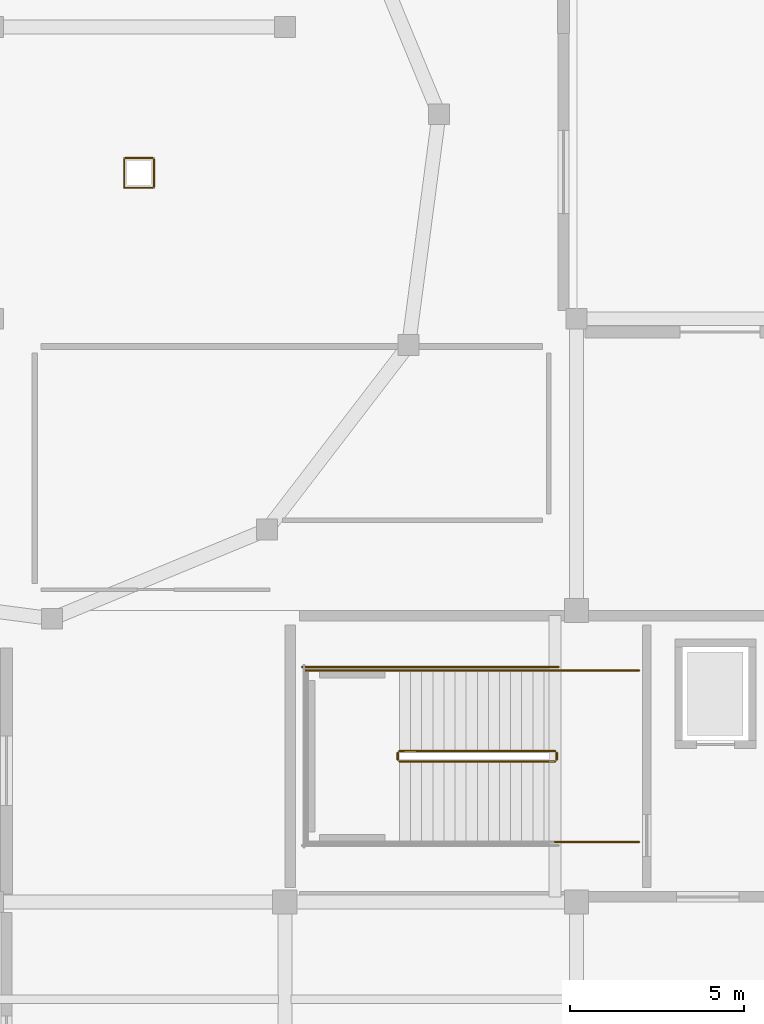
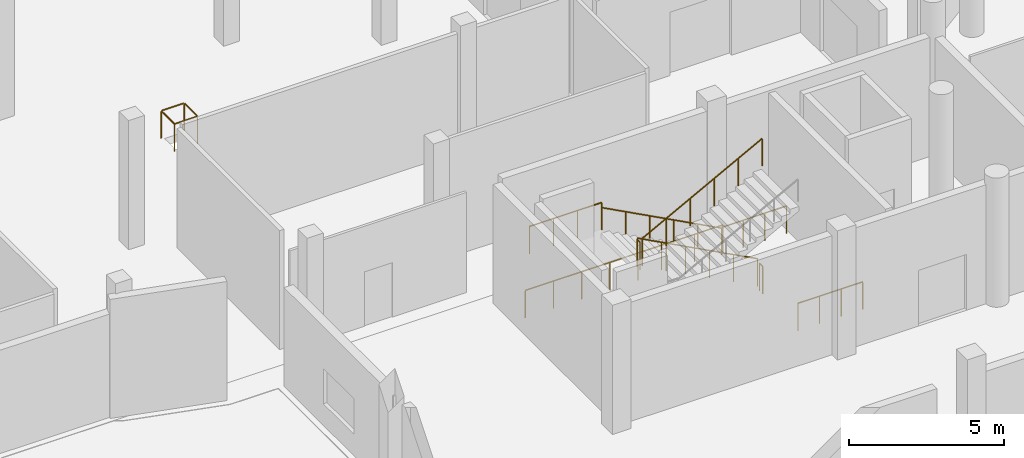
# One storey, part 60 of 64: 10 railings.
"""IFC4 building model written with IfcOpenShell, lengths in metres."""

from ifc_helpers import new_model, si_unit, derived_unit, direction, frame, origin, origin_2d, place, context, subcontext, project, spatial, circle, extrude, material, type_object, element, save


model = new_model("IFC4")

# Units and contexts
model_context = context("Model", 3, precision=1e-05, world=origin(), true_north=direction((0.0, 1.0)))
body_context = subcontext(model_context, "Body", "Model", "MODEL_VIEW")
ifc_project = project(units=[si_unit("LENGTHUNIT", "METRE"), si_unit("AREAUNIT", "SQUARE_METRE"), si_unit("VOLUMEUNIT", "CUBIC_METRE"), si_unit("PLANEANGLEUNIT", "RADIAN"), si_unit("MASSUNIT", "GRAM", prefix="KILO"), derived_unit("THERMALTRANSMITTANCEUNIT", [(si_unit("POWERUNIT", "WATT"), 1), (si_unit("LENGTHUNIT", "METRE"), -2), (si_unit("THERMODYNAMICTEMPERATUREUNIT", "KELVIN"), -1)])], contexts=[model_context])

# Site, building, storey
site_placement = place(None, origin())
site = spatial("IfcSite", under=ifc_project, at=site_placement, CompositionType="ELEMENT")
building_placement = place(site_placement, origin())
building = spatial("IfcBuilding", under=site, at=building_placement, Name="Elbkamm Science Centre", CompositionType="ELEMENT")
storey_placement = place(building_placement, origin())
storey = spatial("IfcBuildingStorey", under=building, at=storey_placement, Name="L00", CompositionType="ELEMENT", Elevation=0.0)

# Railings
ifc_material = material(Name="Stainless steel EN 1.4401", Category="steel")
railing_type_1 = type_object("IfcRailingType", Name="RAIL-GUARD-1100", PredefinedType="GUARDRAIL", material=ifc_material)
railing_1_placement = place(storey_placement, frame((32.97998046875, 71.550048828125, 0.169921875)))
element("IfcRailing", 1, at=railing_1_placement, inside=storey, type_object=railing_type_1, Name="L00 ST-C1 stair guard 1", PredefinedType="GUARDRAIL", context=body_context, shape_type="SweptSolid", body=[
    extrude(circle(Radius=0.02392578125, at=origin_2d()), frame((0.0, 0.0, 1.078125), z_axis=(-0.883104503341, 0.0, 0.469176338042), x_axis=(0.0, -1.0, 0.0)), (0.0, 0.0, 1.0), 5.072998046875),
    extrude(circle(Radius=0.02001953125, at=origin_2d()), origin(), (0.0, 0.0, 1.0), 1.048095703125),
    extrude(circle(Radius=0.02001953125, at=origin_2d()), frame((-0.89599609375, 0.0, 0.47607421875)), (0.0, 0.0, 1.0), 1.048095703125),
    extrude(circle(Radius=0.02001953125, at=origin_2d()), frame((-1.7919921875, 0.0, 0.9521484375)), (0.0, 0.0, 1.0), 1.048095703125),
    extrude(circle(Radius=0.02001953125, at=origin_2d()), frame((-2.68798828125, 0.0, 1.427978515625)), (0.0, 0.0, 1.0), 1.048095703125),
    extrude(circle(Radius=0.02001953125, at=origin_2d()), frame((-3.583984375, 0.0, 1.904052734375)), (0.0, 0.0, 1.0), 1.048095703125),
    extrude(circle(Radius=0.02001953125, at=origin_2d()), frame((-4.47998046875, 0.0, 2.380126953125)), (0.0, 0.0, 1.0), 1.048095703125),
])
railing_2_placement = place(storey_placement, frame((28.449951171875, 71.5, 2.550048828125)))
element("IfcRailing", 2, at=railing_2_placement, inside=storey, type_object=railing_type_1, Name="L00 ST-C1 stair guard 2", PredefinedType="GUARDRAIL", context=body_context, shape_type="SweptSolid", body=[
    extrude(circle(Radius=0.02392578125, at=origin_2d()), frame((0.0, 0.0, 1.078125), z_axis=(0.0, -1.0, 0.0), x_axis=(1.0, 0.0, 0.0)), (0.0, 0.0, 1.0), 0.199951171875),
    extrude(circle(Radius=0.02001953125, at=origin_2d()), origin(), (0.0, 0.0, 1.0), 1.048095703125),
    extrude(circle(Radius=0.02001953125, at=origin_2d()), frame((0.0, -0.199951171875, 0.0)), (0.0, 0.0, 1.0), 1.048095703125),
])
railing_3_placement = place(storey_placement, frame((28.5, 73.8701171875, 2.550048828125)))
element("IfcRailing", 3, at=railing_3_placement, inside=storey, type_object=railing_type_1, Name="L00 ST-C1 stair guard 3", PredefinedType="GUARDRAIL", context=body_context, shape_type="SweptSolid", body=[
    extrude(circle(Radius=0.02392578125, at=origin_2d()), frame((0.0, 0.0, 1.078125), z_axis=(-1.0, 0.0, 0.0), x_axis=(0.0, -1.0, 0.0)), (0.0, 0.0, 1.0), 2.699951171875),
    extrude(circle(Radius=0.02001953125, at=origin_2d()), origin(), (0.0, 0.0, 1.0), 1.048095703125),
    extrude(circle(Radius=0.02001953125, at=origin_2d()), frame((-0.89990234375, 0.0, 0.0)), (0.0, 0.0, 1.0), 1.048095703125),
    extrude(circle(Radius=0.02001953125, at=origin_2d()), frame((-1.800048828125, 0.0, 0.0)), (0.0, 0.0, 1.0), 1.048095703125),
    extrude(circle(Radius=0.02001953125, at=origin_2d()), frame((-2.699951171875, 0.0, 0.0)), (0.0, 0.0, 1.0), 1.048095703125),
])
railing_4_placement = place(storey_placement, frame((28.5, 71.25, 2.719970703125)))
element("IfcRailing", 4, at=railing_4_placement, inside=storey, type_object=railing_type_1, Name="L00 ST-C1 stair guard 6", PredefinedType="GUARDRAIL", context=body_context, shape_type="SweptSolid", body=[
    extrude(circle(Radius=0.02392578125, at=origin_2d()), frame((0.0, 0.0, 1.078125), z_axis=(0.883104503341, 0.0, 0.469176338042), x_axis=(0.0, 1.0, 0.0)), (0.0, 0.0, 1.0), 5.072998046875),
    extrude(circle(Radius=0.02001953125, at=origin_2d()), origin(), (0.0, 0.0, 1.0), 1.048095703125),
    extrude(circle(Radius=0.02001953125, at=origin_2d()), frame((0.89599609375, 0.0, 0.47607421875)), (0.0, 0.0, 1.0), 1.048095703125),
    extrude(circle(Radius=0.02001953125, at=origin_2d()), frame((1.7919921875, 0.0, 0.9521484375)), (0.0, 0.0, 1.0), 1.048095703125),
    extrude(circle(Radius=0.02001953125, at=origin_2d()), frame((2.68798828125, 0.0, 1.427978515625)), (0.0, 0.0, 1.0), 1.048095703125),
    extrude(circle(Radius=0.02001953125, at=origin_2d()), frame((3.583984375, 0.0, 1.904052734375)), (0.0, 0.0, 1.0), 1.048095703125),
    extrude(circle(Radius=0.02001953125, at=origin_2d()), frame((4.47998046875, 0.0, 2.380126953125)), (0.0, 0.0, 1.0), 1.048095703125),
])
railing_5_placement = place(storey_placement, frame((33.030029296875, 71.5, 0.0)))
element("IfcRailing", 5, at=railing_5_placement, inside=storey, type_object=railing_type_1, Name="L00 ST-C1 stair guard 7", PredefinedType="GUARDRAIL", context=body_context, shape_type="SweptSolid", body=[
    extrude(circle(Radius=0.02392578125, at=origin_2d()), frame((0.0, 0.0, 1.078125), z_axis=(0.0, -1.0, 0.0), x_axis=(1.0, 0.0, 0.0)), (0.0, 0.0, 1.0), 0.199951171875),
    extrude(circle(Radius=0.02001953125, at=origin_2d()), origin(), (0.0, 0.0, 1.0), 1.048095703125),
    extrude(circle(Radius=0.02001953125, at=origin_2d()), frame((0.0, -0.199951171875, 0.0)), (0.0, 0.0, 1.0), 1.048095703125),
])
for number, where, name in (
    (6, (35.39990234375, 73.8701171875, 0.0), "L00 ST-C1 stair guard 8"),
    (7, (35.39990234375, 68.929931640625, 0.0), "L00 ST-C1 stair guard 9"),
):
    element("IfcRailing", number, at=place(storey_placement, frame(where)), inside=storey, type_object=railing_type_1, Name=name, PredefinedType="GUARDRAIL", context=body_context, shape_type="SweptSolid", body=[
        extrude(circle(Radius=0.02392578125, at=origin_2d()), frame((0.0, 0.0, 1.078125), z_axis=(-1.0, 0.0, 0.0), x_axis=(0.0, -1.0, 0.0)), (0.0, 0.0, 1.0), 2.419921875),
        extrude(circle(Radius=0.02001953125, at=origin_2d()), origin(), (0.0, 0.0, 1.0), 1.048095703125),
        extrude(circle(Radius=0.02001953125, at=origin_2d()), frame((-0.806640625, 0.0, 0.0)), (0.0, 0.0, 1.0), 1.048095703125),
        extrude(circle(Radius=0.02001953125, at=origin_2d()), frame((-1.61328125, 0.0, 0.0)), (0.0, 0.0, 1.0), 1.048095703125),
        extrude(circle(Radius=0.02001953125, at=origin_2d()), frame((-2.419921875, 0.0, 0.0)), (0.0, 0.0, 1.0), 1.048095703125),
    ])
railing_6_placement = place(storey_placement, frame((33.080078125, 73.969970703125, 0.0)))
element("IfcRailing", 8, at=railing_6_placement, inside=storey, type_object=railing_type_1, Name="L00 ST-C1 stair guard 10", PredefinedType="GUARDRAIL", context=body_context, shape_type="SweptSolid", body=[
    extrude(circle(Radius=0.02392578125, at=origin_2d()), frame((0.0, 0.0, 1.078125), z_axis=(-1.0, 0.0, 0.0), x_axis=(0.0, -1.0, 0.0)), (0.0, 0.0, 1.0), 7.380126953125),
    extrude(circle(Radius=0.02001953125, at=origin_2d()), origin(), (0.0, 0.0, 1.0), 1.048095703125),
    extrude(circle(Radius=0.02001953125, at=origin_2d()), frame((-1.05419921875, 0.0, 0.0)), (0.0, 0.0, 1.0), 1.048095703125),
    extrude(circle(Radius=0.02001953125, at=origin_2d()), frame((-2.108642578125, 0.0, 0.0)), (0.0, 0.0, 1.0), 1.048095703125),
    extrude(circle(Radius=0.02001953125, at=origin_2d()), frame((-3.162841796875, 0.0, 0.0)), (0.0, 0.0, 1.0), 1.048095703125),
    extrude(circle(Radius=0.02001953125, at=origin_2d()), frame((-4.21728515625, 0.0, 0.0)), (0.0, 0.0, 1.0), 1.048095703125),
    extrude(circle(Radius=0.02001953125, at=origin_2d()), frame((-5.271484375, 0.0, 0.0)), (0.0, 0.0, 1.0), 1.048095703125),
    extrude(circle(Radius=0.02001953125, at=origin_2d()), frame((-6.325927734375, 0.0, 0.0)), (0.0, 0.0, 1.0), 1.048095703125),
    extrude(circle(Radius=0.02001953125, at=origin_2d()), frame((-7.380126953125, 0.0, 0.0)), (0.0, 0.0, 1.0), 1.048095703125),
])
railing_7_placement = place(storey_placement, frame((20.570068359375, 87.77001953125, 0.0)))
element("IfcRailing", 9, at=railing_7_placement, inside=storey, type_object=railing_type_1, Name="L00 Service Riser Opening Guardrail 001", PredefinedType="GUARDRAIL", context=body_context, shape_type="SweptSolid", body=[
    extrude(circle(Radius=0.02392578125, at=origin_2d()), frame((0.0, 0.0, 1.078125), z_axis=(1.0, 0.0, 0.0), x_axis=(0.0, 1.0, 0.0)), (0.0, 0.0, 1.0), 0.829833984375),
    extrude(circle(Radius=0.02392578125, at=origin_2d()), frame((0.85986328125, 0.030029296875, 1.078125), z_axis=(0.0, 1.0, 0.0), x_axis=(-1.0, 0.0, 0.0)), (0.0, 0.0, 1.0), 0.7998046875),
    extrude(circle(Radius=0.02392578125, at=origin_2d()), frame((0.829833984375, 0.85986328125, 1.078125), z_axis=(-1.0, 0.0, 0.0), x_axis=(0.0, -1.0, 0.0)), (0.0, 0.0, 1.0), 0.7998046875),
    extrude(circle(Radius=0.02392578125, at=origin_2d()), frame((0.0, 0.829833984375, 1.078125), z_axis=(0.0, -1.0, 0.0), x_axis=(1.0, 0.0, 0.0)), (0.0, 0.0, 1.0), 0.829833984375),
    extrude(circle(Radius=0.02001953125, at=origin_2d()), origin(), (0.0, 0.0, 1.0), 1.048095703125),
    extrude(circle(Radius=0.02001953125, at=origin_2d()), frame((0.85986328125, 0.0, 0.0)), (0.0, 0.0, 1.0), 1.048095703125),
    extrude(circle(Radius=0.02001953125, at=origin_2d()), frame((0.85986328125, 0.85986328125, 0.0)), (0.0, 0.0, 1.0), 1.048095703125),
    extrude(circle(Radius=0.02001953125, at=origin_2d()), frame((0.0, 0.85986328125, 0.0)), (0.0, 0.0, 1.0), 1.048095703125),
])
railing_type_2 = type_object("IfcRailingType", Name="RAIL-HAND-900", PredefinedType="HANDRAIL", material=ifc_material)
railing_8_placement = place(storey_placement, frame((32.97998046875, 73.8701171875, 0.169921875)))
element("IfcRailing", 10, at=railing_8_placement, inside=storey, type_object=railing_type_2, Name="L00 ST-C1 stair handrail 1", PredefinedType="HANDRAIL", context=body_context, shape_type="SweptSolid", body=[
    extrude(circle(Radius=0.02392578125, at=origin_2d()), frame((0.0, 0.0, 0.8779296875), z_axis=(-0.883104503341, 0.0, 0.469176338042), x_axis=(0.0, -1.0, 0.0)), (0.0, 0.0, 1.0), 5.072998046875),
    extrude(circle(Radius=0.02001953125, at=origin_2d()), origin(), (0.0, 0.0, 1.0), 0.847900390625),
    extrude(circle(Radius=0.02001953125, at=origin_2d()), frame((-0.89599609375, 0.0, 0.47607421875)), (0.0, 0.0, 1.0), 0.847900390625),
    extrude(circle(Radius=0.02001953125, at=origin_2d()), frame((-1.7919921875, 0.0, 0.9521484375)), (0.0, 0.0, 1.0), 0.847900390625),
    extrude(circle(Radius=0.02001953125, at=origin_2d()), frame((-2.68798828125, 0.0, 1.427978515625)), (0.0, 0.0, 1.0), 0.847900390625),
    extrude(circle(Radius=0.02001953125, at=origin_2d()), frame((-3.583984375, 0.0, 1.904052734375)), (0.0, 0.0, 1.0), 0.847900390625),
    extrude(circle(Radius=0.02001953125, at=origin_2d()), frame((-4.47998046875, 0.0, 2.380126953125)), (0.0, 0.0, 1.0), 0.847900390625),
])

save(model, "model.ifc")
